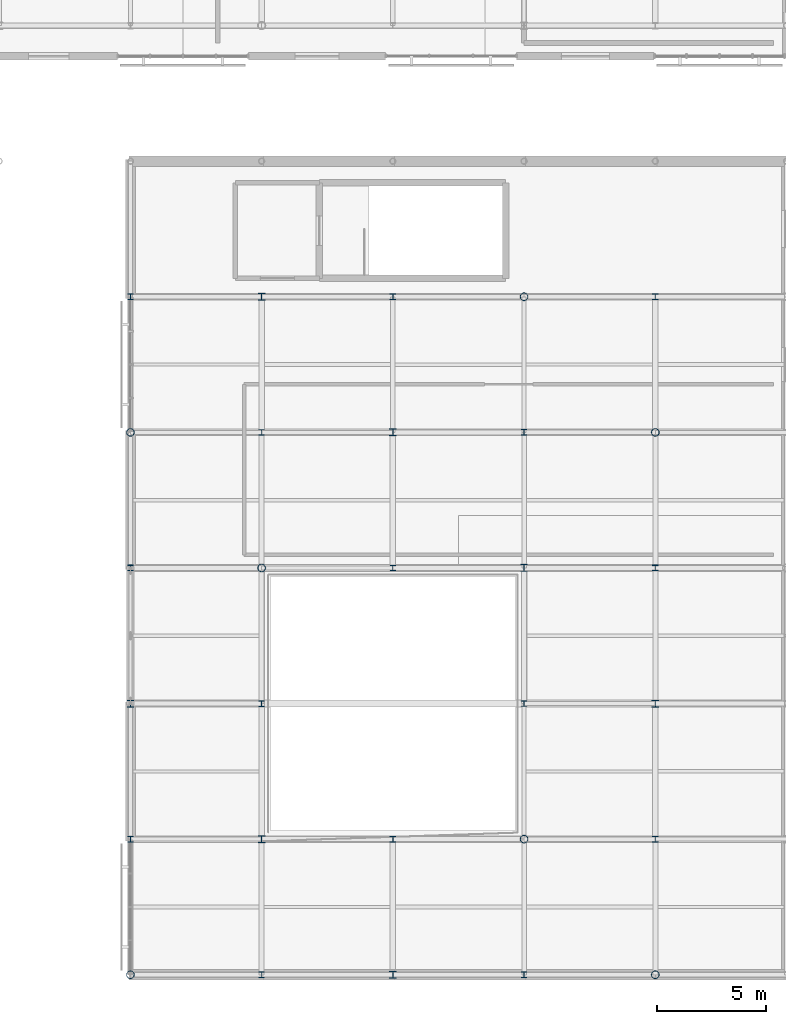
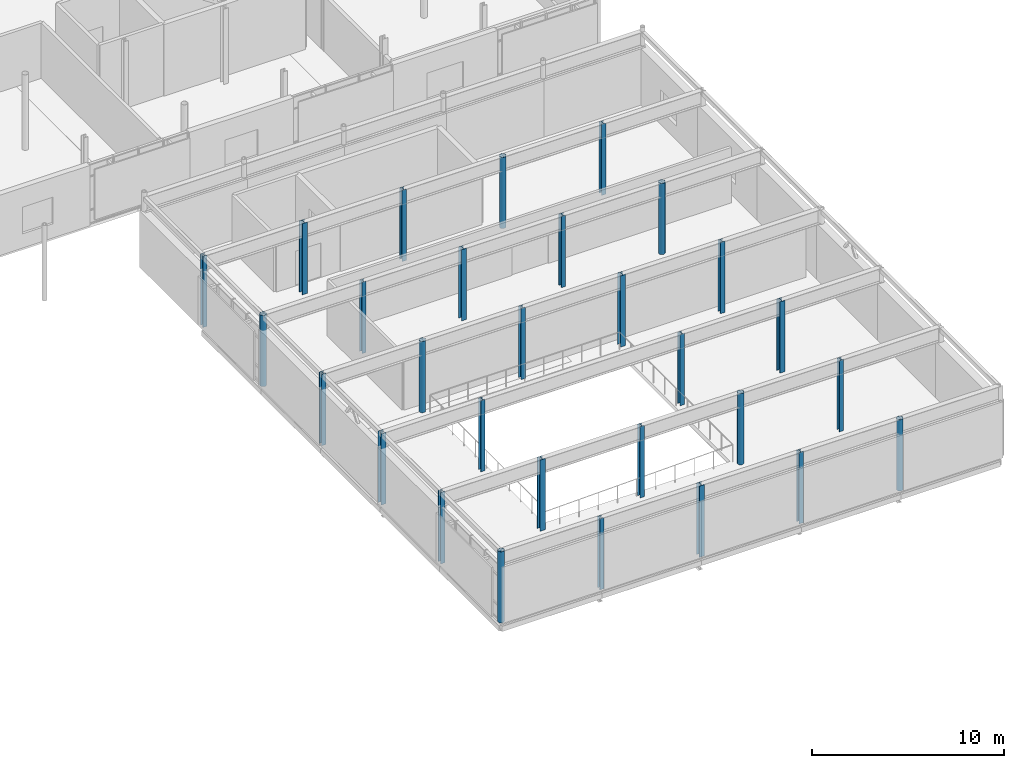
# One storey, part 11 of 84: 29 columns.
"""IFC4 building model written with IfcOpenShell, lengths in metres."""

from ifc_helpers import new_model, si_unit, direction, frame, origin, origin_2d, place, context, subcontext, project, spatial, hollow_circle, i_section, extrude, material, material_profile, profile_set, type_object, element, save


model = new_model("IFC4")

# Units and contexts
model_context = context("Model", 3, precision=1e-05, world=origin(), true_north=direction((0.0, 1.0)))
body_context = subcontext(model_context, "Body", "Model", "MODEL_VIEW")
ifc_project = project(units=[si_unit("LENGTHUNIT", "METRE"), si_unit("AREAUNIT", "SQUARE_METRE"), si_unit("VOLUMEUNIT", "CUBIC_METRE"), si_unit("PLANEANGLEUNIT", "RADIAN"), si_unit("MASSUNIT", "GRAM", prefix="KILO")], contexts=[model_context])

# Site, building, storey
site_placement = place(None, origin())
site = spatial("IfcSite", under=ifc_project, at=site_placement, CompositionType="ELEMENT")
building_placement = place(site_placement, origin())
building = spatial("IfcBuilding", under=site, at=building_placement, Name="Mirzam Square Science Centre", CompositionType="ELEMENT")
storey_placement = place(building_placement, frame((0.0, 0.0, 10.800048828125)))
storey = spatial("IfcBuildingStorey", under=building, at=storey_placement, Name="L02", CompositionType="ELEMENT", Elevation=10.800048828125)

# Columns
ifc_material = material(Name="Steel S355", Category="steel")
ifc_material_profile_1 = material_profile(ifc_material, hollow_circle(Radius=0.177734375, WallThickness=0.012451171875, at=origin_2d()), Name="355.6x12.5CHS")
ifc_profile_set_1 = profile_set([ifc_material_profile_1], Name="Steel S355")
column_type_1 = type_object("IfcColumnType", Name="COL-CHS355", PredefinedType="COLUMN", material=ifc_profile_set_1)
for number, where, z_axis, x_axis, name in (
    (1, (132.0, 0.0, 0.0), (0.0, 0.0, 1.0), (1.0, 0.0, 0.0), "L02 column G23-01"),
    (2, (132.0, 24.800048828125, 0.0), (0.0, 0.0, 1.0), (1.0, 0.0, 0.0), "L02 column G23-05"),
    (3, (138.0, 18.60009765625, 0.0), (0.0, 0.0, 1.0), (1.0, 0.0, 0.0), "L02 column G24-04"),
    (4, (150.0, 6.199951171875, 0.0), (0.0, 0.0, 1.0), (1.0, 0.0, 0.0), "L02 column G26-02"),
    (5, (150.0, 31.0, 0.0), (0.0, 0.0, 1.0), (1.0, 0.0, 0.0), "L02 column G26-06"),
    (6, (156.0, 0.0, 0.0), (0.0, 0.0, 1.0), (1.0, 0.0, 0.0), "L02 column G27-01"),
    (7, (156.0, 24.800048828125, 0.0), (0.0, 0.0, 1.0), (1.0, 0.0, 0.0), "L02 column G27-05"),
):
    element("IfcColumn", number, at=place(storey_placement, frame(where, z_axis=z_axis, x_axis=x_axis)), inside=storey, type_object=column_type_1, Name=name, PredefinedType="COLUMN", context=body_context, shape_type="SweptSolid", body=[
        extrude(hollow_circle(Radius=0.177734375, WallThickness=0.012451171875, at=origin_2d()), origin(), (0.0, 0.0, 1.0), 4.530029296875),
    ])
ifc_material_profile_2 = material_profile(ifc_material, i_section(OverallWidth=0.25634765625, OverallDepth=0.26025390625, WebThickness=0.01025390625, FlangeThickness=0.017333984375, FilletRadius=0.0126953125, at=origin_2d()), Name="254x254x89UC")
ifc_profile_set_2 = profile_set([ifc_material_profile_2], Name="Steel S355")
column_type_2 = type_object("IfcColumnType", Name="COL-UC254A", PredefinedType="COLUMN", material=ifc_profile_set_2)
for number, where, z_axis, x_axis, name in (
    (8, (132.0, 6.199951171875, 0.0), (0.0, 0.0, 1.0), (1.0, 0.0, 0.0), "L02 column G23-02"),
    (9, (132.0, 31.0, 0.0), (0.0, 0.0, 1.0), (1.0, 0.0, 0.0), "L02 column G23-06"),
    (10, (138.0, 0.0, 0.0), (0.0, 0.0, 1.0), (1.0, 0.0, 0.0), "L02 column G24-01"),
    (11, (138.0, 24.800048828125, 0.0), (0.0, 0.0, 1.0), (1.0, 0.0, 0.0), "L02 column G24-05"),
    (12, (144.0, 18.60009765625, 0.0), (0.0, 0.0, 1.0), (1.0, 0.0, 0.0), "L02 column G25-04"),
    (13, (150.0, 12.39990234375, 0.0), (0.0, 0.0, 1.0), (1.0, 0.0, 0.0), "L02 column G26-03"),
    (14, (156.0, 6.199951171875, 0.0), (0.0, 0.0, 1.0), (1.0, 0.0, 0.0), "L02 column G27-02"),
    (15, (156.0, 31.0, 0.0), (0.0, 0.0, 1.0), (1.0, 0.0, 0.0), "L02 column G27-06"),
):
    element("IfcColumn", number, at=place(storey_placement, frame(where, z_axis=z_axis, x_axis=x_axis)), inside=storey, type_object=column_type_2, Name=name, PredefinedType="COLUMN", context=body_context, shape_type="SweptSolid", body=[
        extrude(i_section(OverallWidth=0.25634765625, OverallDepth=0.26025390625, WebThickness=0.01025390625, FlangeThickness=0.017333984375, FilletRadius=0.0126953125, at=origin_2d()), origin(), (0.0, 0.0, 1.0), 4.530029296875),
    ])
ifc_material_profile_3 = material_profile(ifc_material, i_section(OverallWidth=0.26123046875, OverallDepth=0.2763671875, WebThickness=0.015380859375, FlangeThickness=0.025390625, FilletRadius=0.0126953125, at=origin_2d()), Name="254x254x132UC")
ifc_profile_set_3 = profile_set([ifc_material_profile_3], Name="Steel S355")
column_type_3 = type_object("IfcColumnType", Name="COL-UC254B", PredefinedType="COLUMN", material=ifc_profile_set_3)
for number, where, z_axis, x_axis, name in (
    (16, (132.0, 18.60009765625, 0.0), (0.0, 0.0, 1.0), (1.0, 0.0, 0.0), "L02 column G23-04"),
    (17, (138.0, 12.39990234375, 0.0), (0.0, 0.0, 1.0), (1.0, 0.0, 0.0), "L02 column G24-03"),
    (18, (144.0, 6.199951171875, 0.0), (0.0, 0.0, 1.0), (1.0, 0.0, 0.0), "L02 column G25-02"),
    (19, (144.0, 31.0, 0.0), (0.0, 0.0, 1.0), (1.0, 0.0, 0.0), "L02 column G25-06"),
    (20, (150.0, 0.0, 0.0), (0.0, 0.0, 1.0), (1.0, 0.0, 0.0), "L02 column G26-01"),
    (21, (150.0, 24.800048828125, 0.0), (0.0, 0.0, 1.0), (1.0, 0.0, 0.0), "L02 column G26-05"),
    (22, (156.0, 18.60009765625, 0.0), (0.0, 0.0, 1.0), (1.0, 0.0, 0.0), "L02 column G27-04"),
):
    element("IfcColumn", number, at=place(storey_placement, frame(where, z_axis=z_axis, x_axis=x_axis)), inside=storey, type_object=column_type_3, Name=name, PredefinedType="COLUMN", context=body_context, shape_type="SweptSolid", body=[
        extrude(i_section(OverallWidth=0.26123046875, OverallDepth=0.2763671875, WebThickness=0.015380859375, FlangeThickness=0.025390625, FilletRadius=0.0126953125, at=origin_2d()), origin(), (0.0, 0.0, 1.0), 4.530029296875),
    ])
ifc_material_profile_4 = material_profile(ifc_material, i_section(OverallWidth=0.30908203125, OverallDepth=0.320556640625, WebThickness=0.013916015625, FlangeThickness=0.021728515625, FilletRadius=0.01513671875, at=origin_2d()), Name="305x305x137UC")
ifc_profile_set_4 = profile_set([ifc_material_profile_4], Name="Steel S355")
column_type_4 = type_object("IfcColumnType", Name="COL-UC305A", PredefinedType="COLUMN", material=ifc_profile_set_4)
for number, where, z_axis, x_axis, name in (
    (23, (132.0, 12.39990234375, 0.0), (0.0, 0.0, 1.0), (1.0, 0.0, 0.0), "L02 column G23-03"),
    (24, (138.0, 6.199951171875, 0.0), (0.0, 0.0, 1.0), (1.0, 0.0, 0.0), "L02 column G24-02"),
    (25, (138.0, 31.0, 0.0), (0.0, 0.0, 1.0), (1.0, 0.0, 0.0), "L02 column G24-06"),
    (26, (144.0, 0.0, 0.0), (0.0, 0.0, 1.0), (1.0, 0.0, 0.0), "L02 column G25-01"),
    (27, (144.0, 24.800048828125, 0.0), (0.0, 0.0, 1.0), (1.0, 0.0, 0.0), "L02 column G25-05"),
    (28, (150.0, 18.60009765625, 0.0), (0.0, 0.0, 1.0), (1.0, 0.0, 0.0), "L02 column G26-04"),
    (29, (156.0, 12.39990234375, 0.0), (0.0, 0.0, 1.0), (1.0, 0.0, 0.0), "L02 column G27-03"),
):
    element("IfcColumn", number, at=place(storey_placement, frame(where, z_axis=z_axis, x_axis=x_axis)), inside=storey, type_object=column_type_4, Name=name, PredefinedType="COLUMN", context=body_context, shape_type="SweptSolid", body=[
        extrude(i_section(OverallWidth=0.30908203125, OverallDepth=0.320556640625, WebThickness=0.013916015625, FlangeThickness=0.021728515625, FilletRadius=0.01513671875, at=origin_2d()), origin(), (0.0, 0.0, 1.0), 4.530029296875),
    ])

save(model, "model.ifc")
